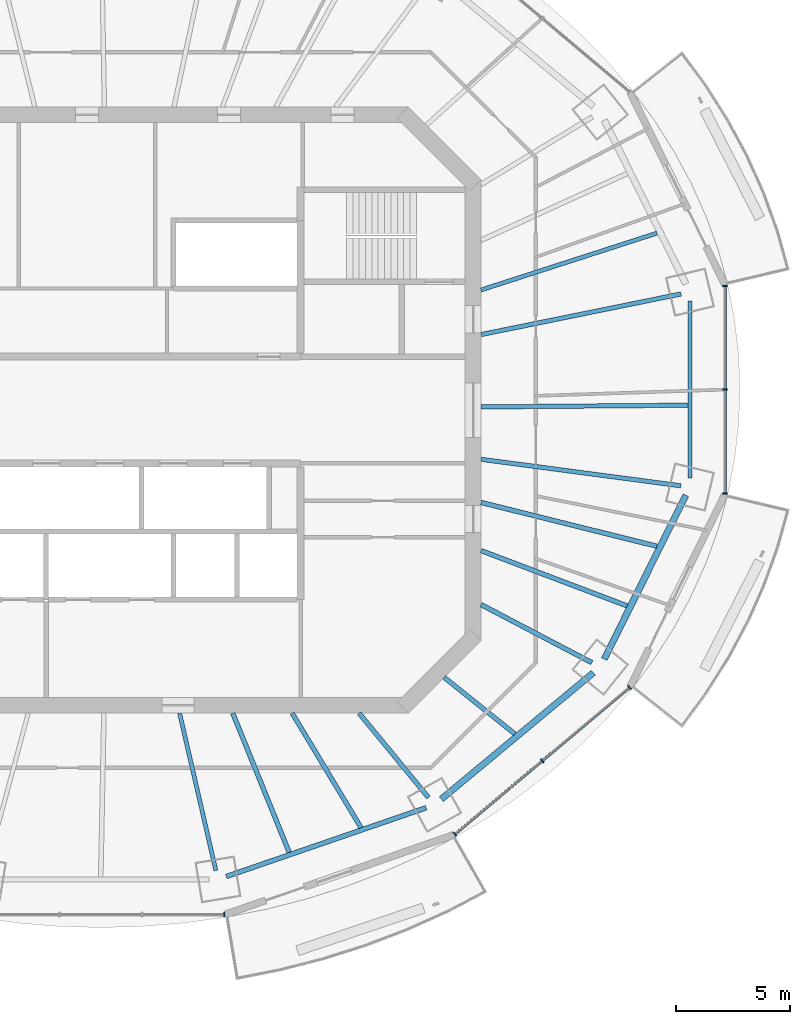
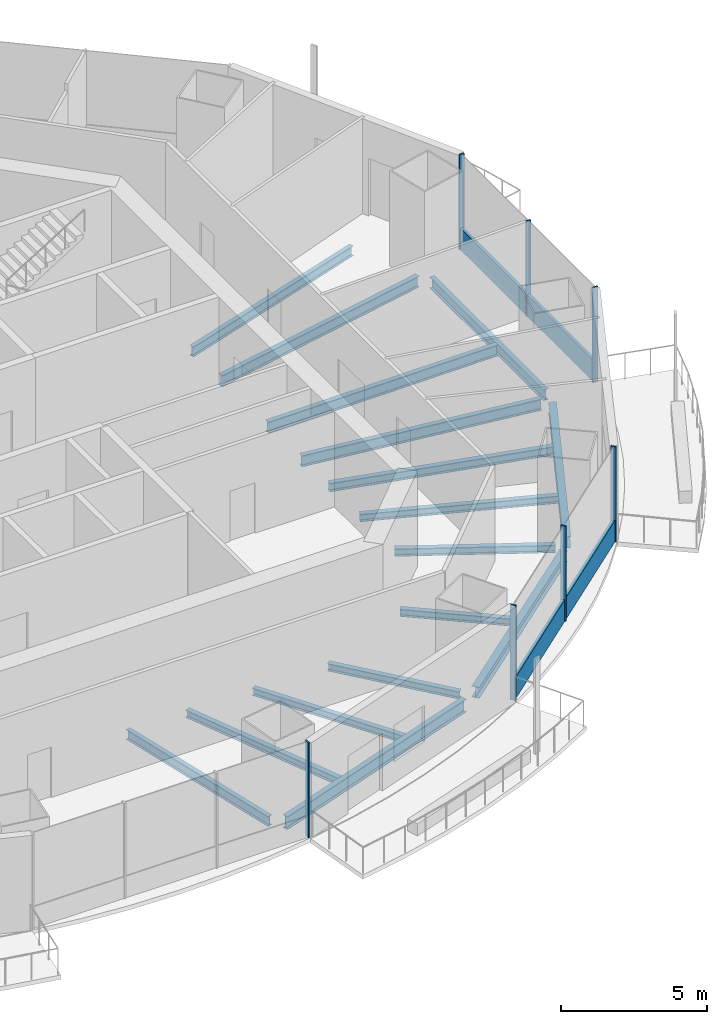
# One storey, part 4 of 16: 16 beams, 9 members, 3 elements without a shape of their own.
"""IFC4 building model written with IfcOpenShell, lengths in metres."""

from ifc_helpers import new_model, si_unit, direction, frame, origin, origin_2d, place, context, subcontext, project, spatial, rectangle, i_section, extrude, material, material_profile, profile_set, type_object, element, aggregate, save


model = new_model("IFC4")

# Units and contexts
model_context = context("Model", 3, precision=1e-05, world=origin(), true_north=direction((0.0, 1.0)))
body_context = subcontext(model_context, "Body", "Model", "MODEL_VIEW")
ifc_project = project(units=[si_unit("LENGTHUNIT", "METRE"), si_unit("AREAUNIT", "SQUARE_METRE"), si_unit("VOLUMEUNIT", "CUBIC_METRE"), si_unit("PLANEANGLEUNIT", "RADIAN"), si_unit("MASSUNIT", "GRAM", prefix="KILO")], contexts=[model_context])

# Site, building, storey
site_placement = place(None, origin())
site = spatial("IfcSite", under=ifc_project, at=site_placement, CompositionType="ELEMENT")
building_placement = place(site_placement, origin())
building = spatial("IfcBuilding", under=site, at=building_placement, Name="Marenthal Gate Tower", CompositionType="ELEMENT")
storey_placement = place(building_placement, frame((0.0, 0.0, 317.699951171875)))
storey = spatial("IfcBuildingStorey", under=building, at=storey_placement, Name="L71", CompositionType="ELEMENT", Elevation=317.699951171875)

# Curtain wall, member
ifc_material_1 = material(Name="Aluminium and glass", Category="aluminium")
curtain_wall_type = type_object("IfcCurtainWallType", Name="Curtain wall typical high", PredefinedType="NOTDEFINED", material=ifc_material_1)
curtain_wall_1_placement = place(storey_placement, origin())
curtain_wall_1 = element("IfcCurtainWall", 1, at=curtain_wall_1_placement, inside=storey, type_object=curtain_wall_type, Name="Curtain wall L71 bay 12", PredefinedType="NOTDEFINED")
ifc_material_2 = material(Name="Aluminium", Category="aluminium")
ifc_material_profile_1 = material_profile(ifc_material_2, rectangle(XDim=0.199951171875, YDim=0.06005859375, at=origin_2d()), Name="60x200 aluminium mullion")
ifc_profile_set_1 = profile_set([ifc_material_profile_1], Name="Aluminium")
member_type_1 = type_object("IfcMemberType", Name="Mullion 60x200 typical high", PredefinedType="MULLION", material=ifc_profile_set_1)
member_1_placement = place(storey_placement, frame((5.039306640625, -22.218994140625, 0.0), z_axis=(0.0, 0.0, 1.0), x_axis=(0.0, 1.0, 0.0)))
member_1 = element("IfcMember", 2, at=member_1_placement, type_object=member_type_1, Name="Mullion L71 bay 12.4", PredefinedType="MULLION", context=body_context, shape_type="SweptSolid", body=[
    extrude(rectangle(XDim=0.199951171875, YDim=0.06005859375, at=origin_2d()), origin(), (0.0, 0.0, 1.0), 3.969970703125),
])
aggregate(curtain_wall_1, [member_1])

# Curtain wall, members
curtain_wall_2_placement = place(storey_placement, origin())
curtain_wall_2 = element("IfcCurtainWall", 3, at=curtain_wall_2_placement, inside=storey, type_object=curtain_wall_type, Name="Curtain wall L71 bay 14", PredefinedType="NOTDEFINED")
member_2_placement = place(storey_placement, frame((15.19775390625, -18.68017578125, 0.0), z_axis=(0.0, 0.0, 1.0), x_axis=(-0.643570293048, 0.765387011848, 0.0)))
member_2 = element("IfcMember", 4, at=member_2_placement, type_object=member_type_1, Name="Mullion L71 bay 14.1", PredefinedType="MULLION", context=body_context, shape_type="SweptSolid", body=[
    extrude(rectangle(XDim=0.199951171875, YDim=0.06005859375, at=origin_2d()), origin(), (0.0, 0.0, 1.0), 3.969970703125),
])
member_3_placement = place(storey_placement, frame((19.042236328125, -15.44775390625, 0.0), z_axis=(0.0, 0.0, 1.0), x_axis=(-0.643570293048, 0.765387011848, 0.0)))
member_3 = element("IfcMember", 5, at=member_3_placement, type_object=member_type_1, Name="Mullion L71 bay 14.2", PredefinedType="MULLION", context=body_context, shape_type="SweptSolid", body=[
    extrude(rectangle(XDim=0.199951171875, YDim=0.06005859375, at=origin_2d()), origin(), (0.0, 0.0, 1.0), 3.969970703125),
])
member_4_placement = place(storey_placement, frame((22.886474609375, -12.21533203125, 0.0), z_axis=(0.0, 0.0, 1.0), x_axis=(-0.643570293048, 0.765387011848, 0.0)))
member_4 = element("IfcMember", 6, at=member_4_placement, type_object=member_type_1, Name="Mullion L71 bay 14.3", PredefinedType="MULLION", context=body_context, shape_type="SweptSolid", body=[
    extrude(rectangle(XDim=0.199951171875, YDim=0.06005859375, at=origin_2d()), origin(), (0.0, 0.0, 1.0), 3.969970703125),
])

curtain_wall_3_placement = place(storey_placement, origin())
curtain_wall_3 = element("IfcCurtainWall", 7, at=curtain_wall_3_placement, inside=storey, type_object=curtain_wall_type, Name="Curtain wall L71 bay 16", PredefinedType="NOTDEFINED")
member_5_placement = place(storey_placement, frame((27.09521484375, -3.668701171875, 0.0), z_axis=(0.0, 0.0, 1.0), x_axis=(-1.0, 0.0, 0.0)))
member_5 = element("IfcMember", 8, at=member_5_placement, type_object=member_type_1, Name="Mullion L71 bay 16.1", PredefinedType="MULLION", context=body_context, shape_type="SweptSolid", body=[
    extrude(rectangle(XDim=0.199951171875, YDim=0.06005859375, at=origin_2d()), origin(), (0.0, 0.0, 1.0), 3.969970703125),
])
member_6_placement = place(storey_placement, frame((27.09521484375, 0.89990234375, 0.0), z_axis=(0.0, 0.0, 1.0), x_axis=(-1.0, 0.0, 0.0)))
member_6 = element("IfcMember", 9, at=member_6_placement, type_object=member_type_1, Name="Mullion L71 bay 16.2", PredefinedType="MULLION", context=body_context, shape_type="SweptSolid", body=[
    extrude(rectangle(XDim=0.199951171875, YDim=0.06005859375, at=origin_2d()), origin(), (0.0, 0.0, 1.0), 3.969970703125),
])
member_7_placement = place(storey_placement, frame((27.09521484375, 5.46875, 0.0), z_axis=(0.0, 0.0, 1.0), x_axis=(-1.0, 0.0, 0.0)))
member_7 = element("IfcMember", 10, at=member_7_placement, type_object=member_type_1, Name="Mullion L71 bay 16.3", PredefinedType="MULLION", context=body_context, shape_type="SweptSolid", body=[
    extrude(rectangle(XDim=0.199951171875, YDim=0.06005859375, at=origin_2d()), origin(), (0.0, 0.0, 1.0), 3.969970703125),
])

# Member
ifc_material_3 = material(Name="Aluminium", Category="aluminium")
ifc_material_profile_2 = material_profile(ifc_material_3, rectangle(XDim=0.1201171875, YDim=0.89990234375, at=origin_2d()), Name="120x900 aluminium transom")
ifc_profile_set_2 = profile_set([ifc_material_profile_2], Name="Aluminium")
member_type_2 = type_object("IfcMemberType", Name="Transom 120x900 typical high", PredefinedType="USERDEFINED", material=ifc_profile_set_2)
member_8_placement = place(storey_placement, frame((15.220703125, -18.660888671875, 0.449951171875), z_axis=(0.765394109839, 0.643561851436, 0.0), x_axis=(-0.643561851436, 0.765394109839, 0.0)))
member_8 = element("IfcMember", 11, at=member_8_placement, type_object=member_type_2, Name="Transom L71 bay 14", ObjectType="TRANSOM", PredefinedType="USERDEFINED", context=body_context, shape_type="SweptSolid", body=[
    extrude(rectangle(XDim=0.1201171875, YDim=0.89990234375, at=origin_2d()), origin(), (0.0, 0.0, 1.0), 9.9853515625),
])

aggregate(curtain_wall_2, [member_2, member_3, member_4, member_8])

member_9_placement = place(storey_placement, frame((27.09521484375, -3.638671875, 0.449951171875), z_axis=(0.0, 1.0, 0.0), x_axis=(-1.0, 0.0, 0.0)))
member_9 = element("IfcMember", 12, at=member_9_placement, type_object=member_type_2, Name="Transom L71 bay 16", ObjectType="TRANSOM", PredefinedType="USERDEFINED", context=body_context, shape_type="SweptSolid", body=[
    extrude(rectangle(XDim=0.1201171875, YDim=0.89990234375, at=origin_2d()), origin(), (0.0, 0.0, 1.0), 9.077392578125),
])

aggregate(curtain_wall_3, [member_5, member_6, member_7, member_9])

# Beams
ifc_material_4 = material(Name="Steel S355", Category="steel")
ifc_material_profile_3 = material_profile(ifc_material_4, i_section(OverallWidth=0.202880859375, OverallDepth=0.302001953125, WebThickness=0.007568359375, FlangeThickness=0.01318359375, FilletRadius=0.0126953125, at=origin_2d()), Name="W310X60")
ifc_profile_set_3 = profile_set([ifc_material_profile_3], Name="Steel S355")
beam_type_1 = type_object("IfcBeamType", Name="W310X60 beam", PredefinedType="BEAM", material=ifc_profile_set_3)
beam_1_placement = place(storey_placement, frame((11.0625, -18.387451171875, -0.3310546875), z_axis=(-0.515539703432, 0.856865692034, 0.0), x_axis=(-0.856865692034, -0.515539703432, 0.0)))
element("IfcBeam", 13, at=beam_1_placement, inside=storey, type_object=beam_type_1, Name="BM-L71-36", PredefinedType="BEAM", context=body_context, shape_type="SweptSolid", body=[
    extrude(i_section(OverallWidth=0.202880859375, OverallDepth=0.302001953125, WebThickness=0.007568359375, FlangeThickness=0.01318359375, FilletRadius=0.0126953125, at=origin_2d()), origin(), (0.0, 0.0, 1.0), 5.87890625),
])
beam_2_placement = place(storey_placement, frame((17.835205078125, -14.262939453125, -0.3310546875), z_axis=(-0.781000235205, 0.624530729916, 0.0), x_axis=(-0.624530729916, -0.781000235205, 0.0)))
element("IfcBeam", 14, at=beam_2_placement, inside=storey, type_object=beam_type_1, Name="BM-L71-37", PredefinedType="BEAM", context=body_context, shape_type="SweptSolid", body=[
    extrude(i_section(OverallWidth=0.202880859375, OverallDepth=0.302001953125, WebThickness=0.007568359375, FlangeThickness=0.01318359375, FilletRadius=0.0126953125, at=origin_2d()), origin(), (0.0, 0.0, 1.0), 3.986572265625),
])
ifc_material_5 = material(Name="Steel S355", Category="steel")
ifc_material_profile_4 = material_profile(ifc_material_5, i_section(OverallWidth=0.205078125, OverallDepth=0.31005859375, WebThickness=0.009521484375, FlangeThickness=0.016357421875, FilletRadius=0.0126953125, at=origin_2d()), Name="W310X74")
ifc_profile_set_4 = profile_set([ifc_material_profile_4], Name="Steel S355")
beam_type_2 = type_object("IfcBeamType", Name="W310X74 beam", PredefinedType="BEAM", material=ifc_profile_set_4)
beam_3_placement = place(storey_placement, frame((14.033447265625, -17.065185546875, -0.3349609375), z_axis=(-0.635173367276, 0.772369596439, 0.0), x_axis=(-0.772369596439, -0.635173367276, 0.0)))
element("IfcBeam", 15, at=beam_3_placement, inside=storey, type_object=beam_type_2, Name="BM-L71-14", PredefinedType="BEAM", context=body_context, shape_type="SweptSolid", body=[
    extrude(i_section(OverallWidth=0.205078125, OverallDepth=0.31005859375, WebThickness=0.009521484375, FlangeThickness=0.016357421875, FilletRadius=0.0126953125, at=origin_2d()), origin(), (0.0, 0.0, 1.0), 4.81005859375),
])
beam_4_placement = place(storey_placement, frame((21.226318359375, -11.12451171875, -0.3349609375), z_axis=(-0.885723013244, 0.464214114186, 0.0), x_axis=(-0.464214114186, -0.885723013244, 0.0)))
element("IfcBeam", 16, at=beam_4_placement, inside=storey, type_object=beam_type_2, Name="BM-L71-15", PredefinedType="BEAM", context=body_context, shape_type="SweptSolid", body=[
    extrude(i_section(OverallWidth=0.205078125, OverallDepth=0.31005859375, WebThickness=0.009521484375, FlangeThickness=0.016357421875, FilletRadius=0.0126953125, at=origin_2d()), origin(), (0.0, 0.0, 1.0), 5.50537109375),
])
beam_5_placement = place(storey_placement, frame((7.899658203125, -19.4765625, -0.3349609375), z_axis=(-0.375855967573, 0.926678094939, 0.0), x_axis=(-0.926678094939, -0.375855967573, 0.0)))
element("IfcBeam", 17, at=beam_5_placement, inside=storey, type_object=beam_type_2, Name="BM-L71-35", PredefinedType="BEAM", context=body_context, shape_type="SweptSolid", body=[
    extrude(i_section(OverallWidth=0.205078125, OverallDepth=0.31005859375, WebThickness=0.009521484375, FlangeThickness=0.016357421875, FilletRadius=0.0126953125, at=origin_2d()), origin(), (0.0, 0.0, 1.0), 6.611328125),
])
beam_6_placement = place(storey_placement, frame((22.78125, -8.6259765625, -0.3349609375), z_axis=(-0.935206835356, 0.354101927562, 0.0), x_axis=(-0.354101927562, -0.935206835356, 0.0)))
element("IfcBeam", 18, at=beam_6_placement, inside=storey, type_object=beam_type_2, Name="BM-L71-38", PredefinedType="BEAM", context=body_context, shape_type="SweptSolid", body=[
    extrude(i_section(OverallWidth=0.205078125, OverallDepth=0.31005859375, WebThickness=0.009521484375, FlangeThickness=0.016357421875, FilletRadius=0.0126953125, at=origin_2d()), origin(), (0.0, 0.0, 1.0), 6.876708984375),
])
ifc_material_6 = material(Name="Steel S355", Category="steel")
ifc_material_profile_5 = material_profile(ifc_material_6, i_section(OverallWidth=0.205078125, OverallDepth=0.35302734375, WebThickness=0.009521484375, FlangeThickness=0.016845703125, FilletRadius=0.014892578125, at=origin_2d()), Name="W360X79")
ifc_profile_set_5 = profile_set([ifc_material_profile_5], Name="Steel S355")
beam_type_3 = type_object("IfcBeamType", Name="W360X79 beam", PredefinedType="BEAM", material=ifc_profile_set_5)
beam_7_placement = place(storey_placement, frame((24.09033203125, -5.99853515625, -0.3564453125), z_axis=(-0.970365340436, 0.241642517119, 0.0), x_axis=(-0.241642517119, -0.970365340436, 0.0)))
element("IfcBeam", 19, at=beam_7_placement, inside=storey, type_object=beam_type_3, Name="BM-L71-39", PredefinedType="BEAM", context=body_context, shape_type="SweptSolid", body=[
    extrude(i_section(OverallWidth=0.205078125, OverallDepth=0.35302734375, WebThickness=0.009521484375, FlangeThickness=0.016845703125, FilletRadius=0.014892578125, at=origin_2d()), origin(), (0.0, 0.0, 1.0), 7.9765625),
])
ifc_material_7 = material(Name="Steel S355", Category="steel")
ifc_material_profile_6 = material_profile(ifc_material_7, i_section(OverallWidth=0.180908203125, OverallDepth=0.4169921875, WebThickness=0.010986328125, FlangeThickness=0.018310546875, FilletRadius=0.01025390625, at=origin_2d()), Name="W410X85")
ifc_profile_set_6 = profile_set([ifc_material_profile_6], Name="Steel S355")
beam_type_4 = type_object("IfcBeamType", Name="W410X85 beam", PredefinedType="BEAM", material=ifc_profile_set_6)
beam_8_placement = place(storey_placement, frame((4.670654296875, -20.27783203125, -0.388427734375), z_axis=(-0.22445818986, 0.974483720236, 0.0), x_axis=(-0.974483720236, -0.22445818986, 0.0)))
element("IfcBeam", 20, at=beam_8_placement, inside=storey, type_object=beam_type_4, Name="BM-L71-13", PredefinedType="BEAM", context=body_context, shape_type="SweptSolid", body=[
    extrude(i_section(OverallWidth=0.180908203125, OverallDepth=0.4169921875, WebThickness=0.010986328125, FlangeThickness=0.018310546875, FilletRadius=0.01025390625, at=origin_2d()), origin(), (0.0, 0.0, 1.0), 7.109130859375),
])
beam_9_placement = place(storey_placement, frame((24.0947265625, 7.78955078125, -0.388427734375), z_axis=(-0.951514772772, -0.307603051345, 0.0), x_axis=(0.307603051345, -0.951514772772, 0.0)))
element("IfcBeam", 21, at=beam_9_placement, inside=storey, type_object=beam_type_4, Name="BM-L71-17", PredefinedType="BEAM", context=body_context, shape_type="SweptSolid", body=[
    extrude(i_section(OverallWidth=0.180908203125, OverallDepth=0.4169921875, WebThickness=0.010986328125, FlangeThickness=0.018310546875, FilletRadius=0.01025390625, at=origin_2d()), origin(), (0.0, 0.0, 1.0), 8.13916015625),
])
ifc_material_8 = material(Name="Steel S355", Category="steel")
ifc_material_profile_7 = material_profile(ifc_material_8, i_section(OverallWidth=0.279052734375, OverallDepth=0.4619140625, WebThickness=0.0107421875, FlangeThickness=0.017333984375, FilletRadius=0.010009765625, at=origin_2d()), Name="W460X113")
ifc_profile_set_7 = profile_set([ifc_material_profile_7], Name="Steel S355")
beam_type_5 = type_object("IfcBeamType", Name="W460X113 beam", PredefinedType="BEAM", material=ifc_profile_set_7)
beam_10_placement = place(storey_placement, frame((14.597412109375, -17.135986328125, -0.410888671875), z_axis=(0.768988287229, 0.639262867767, 0.0), x_axis=(-0.639262867767, 0.768988287229, 0.0)))
element("IfcBeam", 22, at=beam_10_placement, inside=storey, type_object=beam_type_5, Name="BM-L71-54", PredefinedType="BEAM", context=body_context, shape_type="SweptSolid", body=[
    extrude(i_section(OverallWidth=0.279052734375, OverallDepth=0.4619140625, WebThickness=0.0107421875, FlangeThickness=0.017333984375, FilletRadius=0.010009765625, at=origin_2d()), origin(), (0.0, 0.0, 1.0), 8.7080078125),
])
beam_11_placement = place(storey_placement, frame((21.772216796875, -10.964111328125, -0.410888671875), z_axis=(0.445953618471, 0.895056070966, 0.0), x_axis=(-0.895056070966, 0.445953618471, 0.0)))
element("IfcBeam", 23, at=beam_11_placement, inside=storey, type_object=beam_type_5, Name="BM-L71-55", PredefinedType="BEAM", context=body_context, shape_type="SweptSolid", body=[
    extrude(i_section(OverallWidth=0.279052734375, OverallDepth=0.4619140625, WebThickness=0.0107421875, FlangeThickness=0.017333984375, FilletRadius=0.010009765625, at=origin_2d()), origin(), (0.0, 0.0, 1.0), 8.0634765625),
])
ifc_material_9 = material(Name="Steel S355", Category="steel")
ifc_material_profile_8 = material_profile(ifc_material_9, i_section(OverallWidth=0.19091796875, OverallDepth=0.45703125, WebThickness=0.009033203125, FlangeThickness=0.014404296875, FilletRadius=0.01025390625, at=origin_2d()), Name="W460X74")
ifc_profile_set_8 = profile_set([ifc_material_profile_8], Name="Steel S355")
beam_type_6 = type_object("IfcBeamType", Name="W460X74 beam", PredefinedType="BEAM", material=ifc_profile_set_8)
beam_12_placement = place(storey_placement, frame((25.545654296875, -2.99072265625, -0.408447265625), z_axis=(0.0, 1.0, 0.0), x_axis=(-1.0, 0.0, 0.0)))
element("IfcBeam", 24, at=beam_12_placement, inside=storey, type_object=beam_type_6, Name="BM-L71-56", PredefinedType="BEAM", context=body_context, shape_type="SweptSolid", body=[
    extrude(i_section(OverallWidth=0.19091796875, OverallDepth=0.45703125, WebThickness=0.009033203125, FlangeThickness=0.014404296875, FilletRadius=0.01025390625, at=origin_2d()), origin(), (0.0, 0.0, 1.0), 7.781494140625),
])
ifc_material_10 = material(Name="Steel S355", Category="steel")
ifc_material_profile_9 = material_profile(ifc_material_10, i_section(OverallWidth=0.193115234375, OverallDepth=0.467041015625, WebThickness=0.011474609375, FlangeThickness=0.01904296875, FilletRadius=0.010009765625, at=origin_2d()), Name="W460X97")
ifc_profile_set_9 = profile_set([ifc_material_profile_9], Name="Steel S355")
beam_type_7 = type_object("IfcBeamType", Name="W460X97 beam", PredefinedType="BEAM", material=ifc_profile_set_9)
beam_13_placement = place(storey_placement, frame((25.1533203125, 5.110595703125, -0.413330078125), z_axis=(-0.979978206176, -0.199104785025, 0.0), x_axis=(0.199104785025, -0.979978206176, 0.0)))
element("IfcBeam", 25, at=beam_13_placement, inside=storey, type_object=beam_type_7, Name="BM-L71-01", PredefinedType="BEAM", context=body_context, shape_type="SweptSolid", body=[
    extrude(i_section(OverallWidth=0.193115234375, OverallDepth=0.467041015625, WebThickness=0.011474609375, FlangeThickness=0.01904296875, FilletRadius=0.010009765625, at=origin_2d()), origin(), (0.0, 0.0, 1.0), 8.983154296875),
])
beam_14_placement = place(storey_placement, frame((25.14453125, -3.337158203125, -0.413330078125), z_axis=(-0.991306796719, 0.131570645581, 0.0), x_axis=(-0.131570645581, -0.991306796719, 0.0)))
element("IfcBeam", 26, at=beam_14_placement, inside=storey, type_object=beam_type_7, Name="BM-L71-16", PredefinedType="BEAM", context=body_context, shape_type="SweptSolid", body=[
    extrude(i_section(OverallWidth=0.193115234375, OverallDepth=0.467041015625, WebThickness=0.011474609375, FlangeThickness=0.01904296875, FilletRadius=0.010009765625, at=origin_2d()), origin(), (0.0, 0.0, 1.0), 8.87158203125),
])
beam_15_placement = place(storey_placement, frame((25.4501953125, 0.212646484375, -0.413330078125), z_axis=(-0.999965193841, -0.008343327126, 0.0), x_axis=(0.008343327126, -0.999965193841, 0.0)))
element("IfcBeam", 27, at=beam_15_placement, inside=storey, type_object=beam_type_7, Name="BM-L71-40", PredefinedType="BEAM", context=body_context, shape_type="SweptSolid", body=[
    extrude(i_section(OverallWidth=0.193115234375, OverallDepth=0.467041015625, WebThickness=0.011474609375, FlangeThickness=0.01904296875, FilletRadius=0.010009765625, at=origin_2d()), origin(), (0.0, 0.0, 1.0), 9.100341796875),
])
ifc_material_11 = material(Name="Steel S355", Category="steel")
ifc_material_profile_10 = material_profile(ifc_material_11, i_section(OverallWidth=0.2119140625, OverallDepth=0.5439453125, WebThickness=0.01318359375, FlangeThickness=0.021240234375, FilletRadius=0.0126953125, at=origin_2d()), Name="W530X123")
ifc_profile_set_10 = profile_set([ifc_material_profile_10], Name="Steel S355")
beam_type_8 = type_object("IfcBeamType", Name="W530X123 beam", PredefinedType="BEAM", material=ifc_profile_set_10)
beam_16_placement = place(storey_placement, frame((5.127197265625, -20.543212890625, -0.451904296875), z_axis=(0.945516412895, 0.325574435338, 0.0), x_axis=(-0.325574435338, 0.945516412895, 0.0)))
element("IfcBeam", 28, at=beam_16_placement, inside=storey, type_object=beam_type_8, Name="BM-L71-53", PredefinedType="BEAM", context=body_context, shape_type="SweptSolid", body=[
    extrude(i_section(OverallWidth=0.2119140625, OverallDepth=0.5439453125, WebThickness=0.01318359375, FlangeThickness=0.021240234375, FilletRadius=0.0126953125, at=origin_2d()), origin(), (0.0, 0.0, 1.0), 9.309814453125),
])

save(model, "model.ifc")
